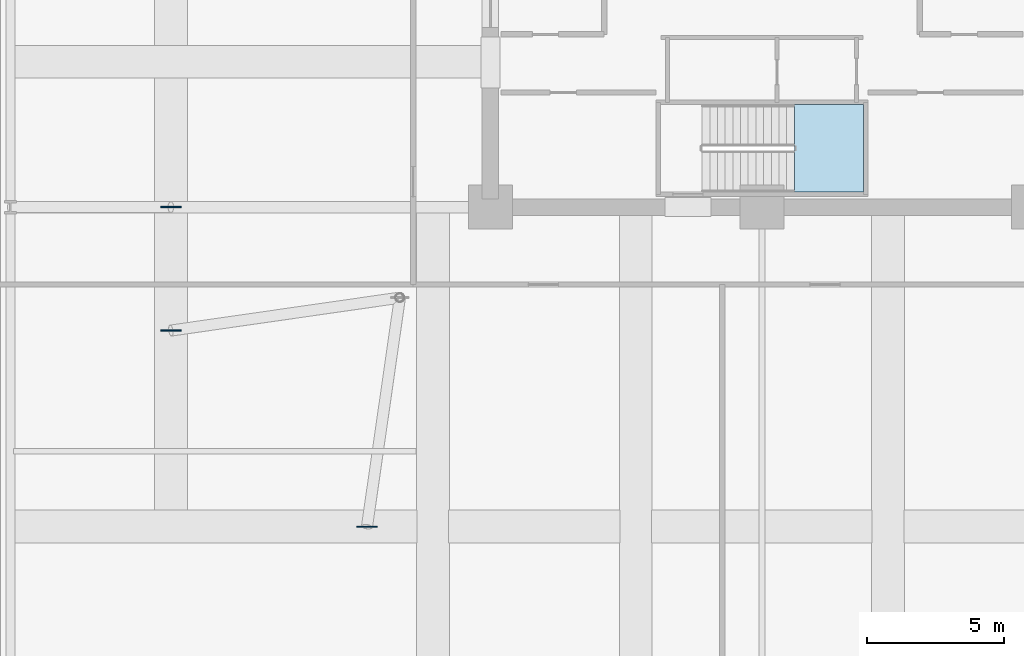
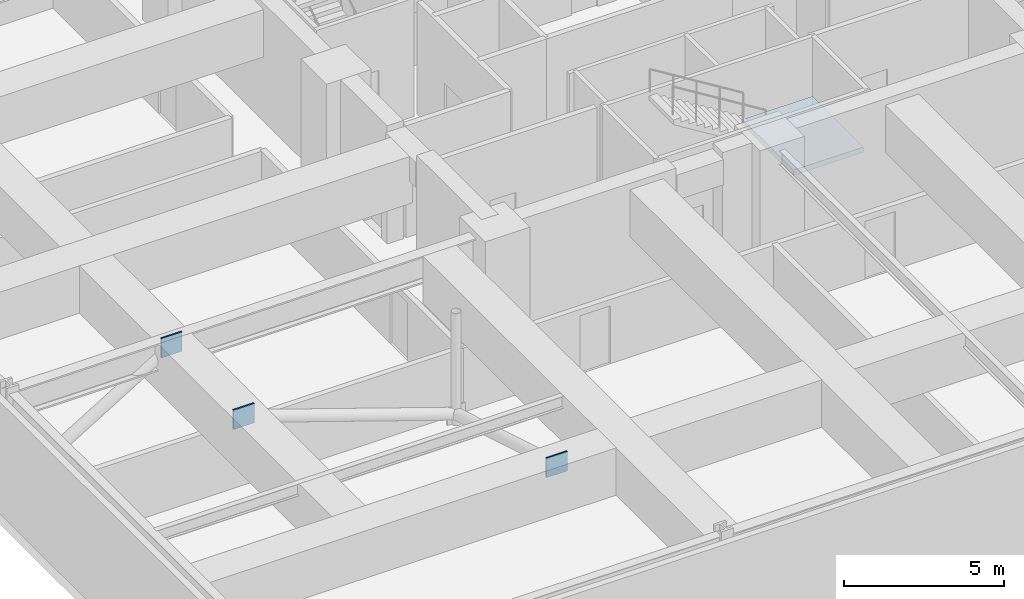
# One storey, part 9 of 16: 3 plates, 1 slab, 1 element without a shape of its own.
"""IFC4 building model written with IfcOpenShell, lengths in metres."""

from ifc_helpers import new_model, si_unit, direction, frame, origin, origin_2d, place, context, subcontext, project, spatial, polyline, rectangle, outline, extrude, material, layer, layer_set, type_object, element, aggregate, save


model = new_model("IFC4")

# Units and contexts
model_context = context("Model", 3, precision=1e-05, world=origin(), true_north=direction((0.0, 1.0)))
body_context = subcontext(model_context, "Body", "Model", "MODEL_VIEW")
ifc_project = project(units=[si_unit("LENGTHUNIT", "METRE"), si_unit("AREAUNIT", "SQUARE_METRE"), si_unit("VOLUMEUNIT", "CUBIC_METRE"), si_unit("PLANEANGLEUNIT", "RADIAN"), si_unit("MASSUNIT", "GRAM", prefix="KILO")], contexts=[model_context])

# Site, building, storey
site_placement = place(None, origin())
site = spatial("IfcSite", under=ifc_project, at=site_placement, CompositionType="ELEMENT")
building_placement = place(site_placement, origin())
building = spatial("IfcBuilding", under=site, at=building_placement, Name="Kolvaren Belvedere", CompositionType="ELEMENT")
storey_placement = place(building_placement, frame((0.0, 0.0, 19.300048828125)))
storey = spatial("IfcBuildingStorey", under=building, at=storey_placement, Name="L05", CompositionType="ELEMENT", Elevation=19.300048828125)

# Plates
ifc_material_1 = material(Name="Structural steel ASTM A572 Grade 50", Category="steel")
ifc_layer_1 = layer(ifc_material_1, 0.050048828125)
ifc_layer_set_1 = layer_set([ifc_layer_1], Name="Structural steel ASTM A572 Grade 50")
plate_type = type_object("IfcPlateType", Name="PL-GUSSET-50", PredefinedType="USERDEFINED", material=ifc_layer_set_1)
for number, where, z_axis, x_axis, name in (
    (1, (-21.550048828125, -14.39990234375, 3.534912109375), (0.0, 0.0, 1.0), (1.0, 0.0, 0.0), "L05 Transfer Truss Gusset Plate TN-1"),
    (2, (-14.39990234375, -21.550048828125, 3.534912109375), (0.0, 0.0, 1.0), (1.0, 0.0, 0.0), "L05 Transfer Truss Gusset Plate TN-5"),
    (3, (-21.550048828125, -9.89990234375, 3.534912109375), (0.0, 0.0, 1.0), (1.0, 0.0, 0.0), "L05 Transfer Truss Gusset Plate TN-9"),
):
    element("IfcPlate", number, at=place(storey_placement, frame(where, z_axis=z_axis, x_axis=x_axis)), inside=storey, type_object=plate_type, Name=name, ObjectType="GUSSET PLATE", PredefinedType="USERDEFINED", context=body_context, shape_type="SweptSolid", body=[
        extrude(rectangle(XDim=0.75, YDim=0.050048828125, at=origin_2d()), origin(), (0.0, 0.0, 1.0), 0.75),
    ])

# Stair, slab
ifc_material_2 = material(Name="Concrete C50/60", Category="concrete")
stair_type = type_object("IfcStairType", Name="ST-CORE-1520", PredefinedType="HALF_TURN_STAIR", material=ifc_material_2)
stair_placement = place(storey_placement, origin())
stair = element("IfcStair", 4, at=stair_placement, inside=storey, type_object=stair_type, Name="L05 Protected Exit Stair ST-3", PredefinedType="HALF_TURN_STAIR")
ifc_material_3 = material(Name="Concrete C50/60", Category="concrete")
ifc_layer_2 = layer(ifc_material_3, 0.260009765625)
ifc_layer_set_2 = layer_set([ifc_layer_2], Name="Concrete C50/60")
slab_type = type_object("IfcSlabType", Name="SL-LAND-260", PredefinedType="LANDING", material=ifc_layer_set_2)
slab_placement = place(storey_placement, frame((0.0, 0.0, 2.050048828125)))
slab = element("IfcSlab", 5, at=slab_placement, type_object=slab_type, Name="ST-3 landing 1", PredefinedType="LANDING", context=body_context, shape_type="SweptSolid", body=[
    extrude(outline(polyline([(1.179931640625, -9.35009765625), (3.699951171875, -9.35009765625), (3.699951171875, -6.159912109375), (1.179931640625, -6.159912109375), (1.179931640625, -9.35009765625)])), origin(), (0.0, 0.0, 1.0), 0.199951171875),
])
aggregate(stair, [slab])

save(model, "model.ifc")
